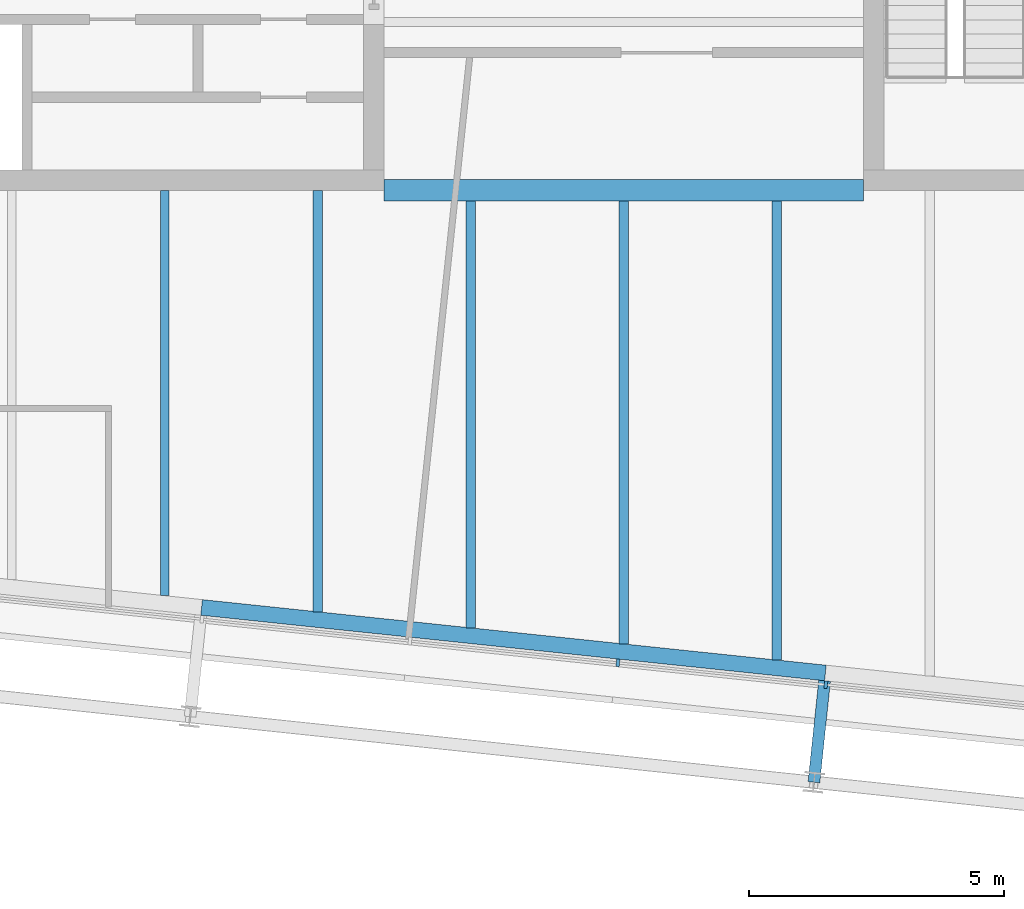
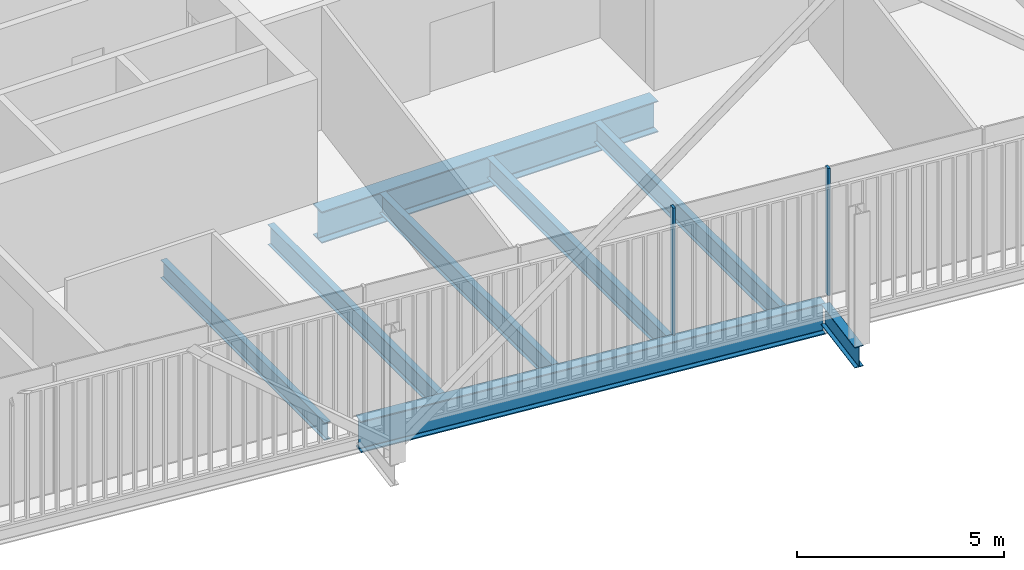
# One storey, part 5 of 21: 8 beams, 2 members, 1 element without a shape of its own.
"""IFC4 building model written with IfcOpenShell, lengths in metres."""

from ifc_helpers import new_model, si_unit, direction, frame, origin, origin_2d, place, context, subcontext, project, spatial, rectangle, i_section, extrude, material, layer, layer_set, material_profile, profile_set, type_object, element, aggregate, save


model = new_model("IFC4")

# Units and contexts
model_context = context("Model", 3, precision=1e-05, world=origin(), true_north=direction((0.0, 1.0)))
body_context = subcontext(model_context, "Body", "Model", "MODEL_VIEW")
ifc_project = project(units=[si_unit("LENGTHUNIT", "METRE"), si_unit("AREAUNIT", "SQUARE_METRE"), si_unit("VOLUMEUNIT", "CUBIC_METRE"), si_unit("PLANEANGLEUNIT", "RADIAN"), si_unit("MASSUNIT", "GRAM", prefix="KILO")], contexts=[model_context])

# Site, building, storey
site_placement = place(None, origin())
site = spatial("IfcSite", under=ifc_project, at=site_placement, CompositionType="ELEMENT")
building_placement = place(site_placement, origin())
building = spatial("IfcBuilding", under=site, at=building_placement, Name="Millrace Tower", CompositionType="ELEMENT")
storey_placement = place(building_placement, frame((0.0, 0.0, 307.199951171875)))
storey = spatial("IfcBuildingStorey", under=building, at=storey_placement, Name="L71", CompositionType="ELEMENT", Elevation=307.199951171875)

# Curtain wall, members
ifc_material_1 = material(Name="Aluminium and glass", Category="aluminium")
ifc_layer = layer(ifc_material_1, 0.14990234375)
ifc_layer_set = layer_set([ifc_layer], Name="Aluminium and glass")
curtain_wall_type = type_object("IfcCurtainWallType", Name="CW-1 office vision curtain wall", PredefinedType="NOTDEFINED", material=ifc_layer_set)
curtain_wall_placement = place(storey_placement, origin())
curtain_wall = element("IfcCurtainWall", 1, at=curtain_wall_placement, inside=storey, type_object=curtain_wall_type, Name="Curtain wall E-F02 L71", PredefinedType="NOTDEFINED")
ifc_material_2 = material(Name="Aluminium", Category="aluminium")
ifc_material_profile_1 = material_profile(ifc_material_2, rectangle(XDim=0.06494140625, YDim=0.14990234375, at=origin_2d()))
ifc_profile_set_1 = profile_set([ifc_material_profile_1], Name="Aluminium")
member_type = type_object("IfcMemberType", Name="CW-1 office vision curtain wall mullion", PredefinedType="MULLION", material=ifc_profile_set_1)
member_1_placement = place(storey_placement, frame((-0.11474609375, -18.567626953125, 0.14013671875), z_axis=(0.0, 0.0, 1.0), x_axis=(0.994521896217, -0.104528455196, 0.0)))
member_1 = element("IfcMember", 2, at=member_1_placement, type_object=member_type, Name="CW1 mullion E-F02.6", PredefinedType="MULLION", context=body_context, shape_type="SweptSolid", body=[
    extrude(rectangle(XDim=0.06494140625, YDim=0.14990234375, at=origin_2d()), origin(), (0.0, 0.0, 1.0), 3.760009765625),
])
member_2_placement = place(storey_placement, frame((3.962890625, -18.99609375, 0.14013671875), z_axis=(0.0, 0.0, 1.0), x_axis=(0.994521896217, -0.104528455196, 0.0)))
member_2 = element("IfcMember", 3, at=member_2_placement, type_object=member_type, Name="CW1 mullion E-F02.7", PredefinedType="MULLION", context=body_context, shape_type="SweptSolid", body=[
    extrude(rectangle(XDim=0.06494140625, YDim=0.14990234375, at=origin_2d()), origin(), (0.0, 0.0, 1.0), 3.760009765625),
])
aggregate(curtain_wall, [member_1, member_2])

# Beams
ifc_material_3 = material(Name="Steel ASTM A992 Grade 50", Category="steel")
ifc_material_profile_2 = material_profile(ifc_material_3, i_section(OverallWidth=0.1650390625, OverallDepth=0.52587890625, WebThickness=0.0087890625, FlangeThickness=0.011474609375, FilletRadius=0.0126953125, at=origin_2d()))
ifc_profile_set_2 = profile_set([ifc_material_profile_2], Name="Steel ASTM A992 Grade 50")
beam_type_1 = type_object("IfcBeamType", Name="Floor beam W21x44", PredefinedType="JOIST", material=ifc_profile_set_2)
beam_1_placement = place(storey_placement, frame((-9.0, -17.249267578125, -0.4228515625), z_axis=(0.0, 1.0, 0.0), x_axis=(-1.0, 0.0, 0.0)))
element("IfcBeam", 4, at=beam_1_placement, inside=storey, type_object=beam_type_1, Name="BM-E-L71-S1-S039", PredefinedType="JOIST", context=body_context, shape_type="SweptSolid", body=[
    extrude(i_section(OverallWidth=0.1650390625, OverallDepth=0.52587890625, WebThickness=0.0087890625, FlangeThickness=0.011474609375, FilletRadius=0.0126953125, at=origin_2d()), origin(), (0.0, 0.0, 1.0), 7.94921875),
])
ifc_material_4 = material(Name="Steel ASTM A992 Grade 50", Category="steel")
ifc_material_profile_3 = material_profile(ifc_material_4, i_section(OverallWidth=0.177978515625, OverallDepth=0.599365234375, WebThickness=0.010009765625, FlangeThickness=0.012939453125, FilletRadius=0.012939453125, at=origin_2d()))
ifc_profile_set_3 = profile_set([ifc_material_profile_3], Name="Steel ASTM A992 Grade 50")
beam_type_2 = type_object("IfcBeamType", Name="Floor beam W24x55", PredefinedType="JOIST", material=ifc_profile_set_3)
beam_2_placement = place(storey_placement, frame((-6.0, -17.564697265625, -0.459716796875), z_axis=(0.0, 1.0, 0.0), x_axis=(-1.0, 0.0, 0.0)))
element("IfcBeam", 5, at=beam_2_placement, inside=storey, type_object=beam_type_2, Name="BM-E-L71-S1-S041", PredefinedType="JOIST", context=body_context, shape_type="SweptSolid", body=[
    extrude(i_section(OverallWidth=0.177978515625, OverallDepth=0.599365234375, WebThickness=0.010009765625, FlangeThickness=0.012939453125, FilletRadius=0.012939453125, at=origin_2d()), origin(), (0.0, 0.0, 1.0), 8.2646484375),
])
beam_3_placement = place(storey_placement, frame((-3.0, -17.8798828125, -0.459716796875), z_axis=(0.0, 1.0, 0.0), x_axis=(-1.0, 0.0, 0.0)))
element("IfcBeam", 6, at=beam_3_placement, inside=storey, type_object=beam_type_2, Name="BM-E-L71-S1-S043", PredefinedType="JOIST", context=body_context, shape_type="SweptSolid", body=[
    extrude(i_section(OverallWidth=0.177978515625, OverallDepth=0.599365234375, WebThickness=0.010009765625, FlangeThickness=0.012939453125, FilletRadius=0.012939453125, at=origin_2d()), origin(), (0.0, 0.0, 1.0), 8.370361328125),
])
beam_4_placement = place(storey_placement, frame((0.0, -18.1953125, -0.459716796875), z_axis=(0.0, 1.0, 0.0), x_axis=(-1.0, 0.0, 0.0)))
element("IfcBeam", 7, at=beam_4_placement, inside=storey, type_object=beam_type_2, Name="BM-E-L71-S1-S045", PredefinedType="JOIST", context=body_context, shape_type="SweptSolid", body=[
    extrude(i_section(OverallWidth=0.177978515625, OverallDepth=0.599365234375, WebThickness=0.010009765625, FlangeThickness=0.012939453125, FilletRadius=0.012939453125, at=origin_2d()), origin(), (0.0, 0.0, 1.0), 8.685791015625),
])
beam_5_placement = place(storey_placement, frame((3.0, -18.510498046875, -0.459716796875), z_axis=(0.0, 1.0, 0.0), x_axis=(-1.0, 0.0, 0.0)))
element("IfcBeam", 8, at=beam_5_placement, inside=storey, type_object=beam_type_2, Name="BM-E-L71-S1-S047", PredefinedType="JOIST", context=body_context, shape_type="SweptSolid", body=[
    extrude(i_section(OverallWidth=0.177978515625, OverallDepth=0.599365234375, WebThickness=0.010009765625, FlangeThickness=0.012939453125, FilletRadius=0.012939453125, at=origin_2d()), origin(), (0.0, 0.0, 1.0), 9.0009765625),
])
ifc_material_5 = material(Name="Steel ASTM A992 Grade 50", Category="steel")
ifc_material_profile_4 = material_profile(ifc_material_5, i_section(OverallWidth=0.419189453125, OverallDepth=0.927001953125, WebThickness=0.019287109375, FlangeThickness=0.031982421875, FilletRadius=0.024169921875, at=origin_2d()))
ifc_profile_set_4 = profile_set([ifc_material_profile_4], Name="Steel ASTM A992 Grade 50")
beam_type_3 = type_object("IfcBeamType", Name="Girder short span W36x231", PredefinedType="BEAM", material=ifc_profile_set_4)
beam_6_placement = place(storey_placement, frame((-4.699951171875, -9.300048828125, -0.62353515625), z_axis=(1.0, 0.0, 0.0), x_axis=(0.0, 1.0, 0.0)))
element("IfcBeam", 9, at=beam_6_placement, inside=storey, type_object=beam_type_3, Name="BM-E-L71-S1-G059", PredefinedType="BEAM", context=body_context, shape_type="SweptSolid", body=[
    extrude(i_section(OverallWidth=0.419189453125, OverallDepth=0.927001953125, WebThickness=0.019287109375, FlangeThickness=0.031982421875, FilletRadius=0.024169921875, at=origin_2d()), origin(), (0.0, 0.0, 1.0), 9.39990234375),
])
ifc_material_6 = material(Name="Steel ASTM A992 Grade 50", Category="steel")
ifc_material_profile_5 = material_profile(ifc_material_6, i_section(OverallWidth=0.23046875, OverallDepth=0.6171875, WebThickness=0.01318359375, FlangeThickness=0.022216796875, FilletRadius=0.012939453125, at=origin_2d()))
ifc_profile_set_5 = profile_set([ifc_material_profile_5], Name="Steel ASTM A992 Grade 50")
beam_type_4 = type_object("IfcBeamType", Name="Link beam W24x94", PredefinedType="BEAM", material=ifc_profile_set_5)
beam_7_placement = place(storey_placement, frame((3.938232421875, -18.918212890625, -0.468505859375), z_axis=(-0.104494148666, -0.99452550138, 0.0), x_axis=(0.99452550138, -0.104494148666, 0.0)))
element("IfcBeam", 10, at=beam_7_placement, inside=storey, type_object=beam_type_4, Name="LNK-E-L71-S1-14", PredefinedType="BEAM", context=body_context, shape_type="SweptSolid", body=[
    extrude(i_section(OverallWidth=0.23046875, OverallDepth=0.6171875, WebThickness=0.01318359375, FlangeThickness=0.022216796875, FilletRadius=0.012939453125, at=origin_2d()), origin(), (0.0, 0.0, 1.0), 2.0),
])
ifc_material_7 = material(Name="Steel ASTM A992 Grade 50", Category="steel")
ifc_material_profile_6 = material_profile(ifc_material_7, i_section(OverallWidth=0.307373046875, OverallDepth=0.927001953125, WebThickness=0.01953125, FlangeThickness=0.031982421875, FilletRadius=0.01904296875, at=origin_2d()))
ifc_profile_set_6 = profile_set([ifc_material_profile_6], Name="Steel ASTM A992 Grade 50")
beam_type_5 = type_object("IfcBeamType", Name="Ring beam medium span W36x194", PredefinedType="SPANDREL", material=ifc_profile_set_6)
beam_8_placement = place(storey_placement, frame((3.954345703125, -18.765380859375, -0.62353515625), z_axis=(-0.994522406476, 0.104523600289, 0.0), x_axis=(-0.104523600289, -0.994522406476, 0.0)))
element("IfcBeam", 11, at=beam_8_placement, inside=storey, type_object=beam_type_5, Name="RNG-E-L71-S1-14", PredefinedType="SPANDREL", context=body_context, shape_type="SweptSolid", body=[
    extrude(i_section(OverallWidth=0.307373046875, OverallDepth=0.927001953125, WebThickness=0.01953125, FlangeThickness=0.031982421875, FilletRadius=0.01904296875, at=origin_2d()), origin(), (0.0, 0.0, 1.0), 12.300048828125),
])

save(model, "model.ifc")
